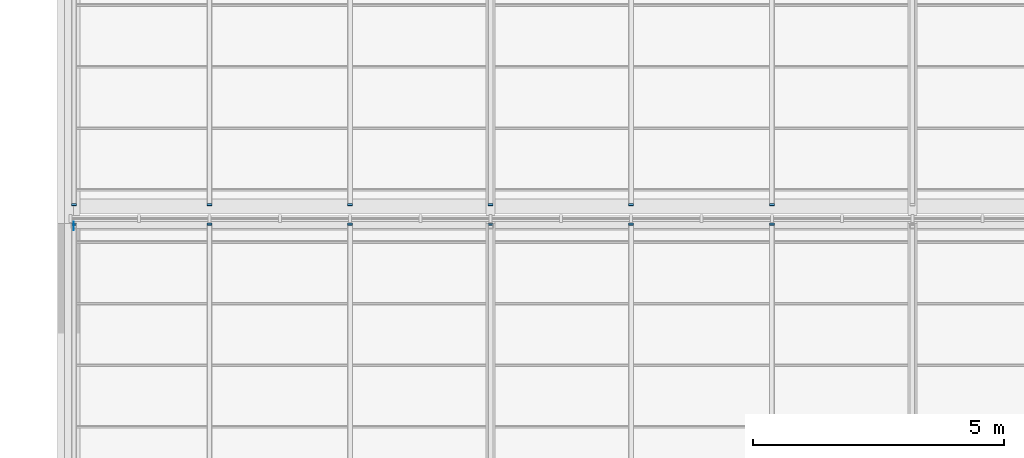
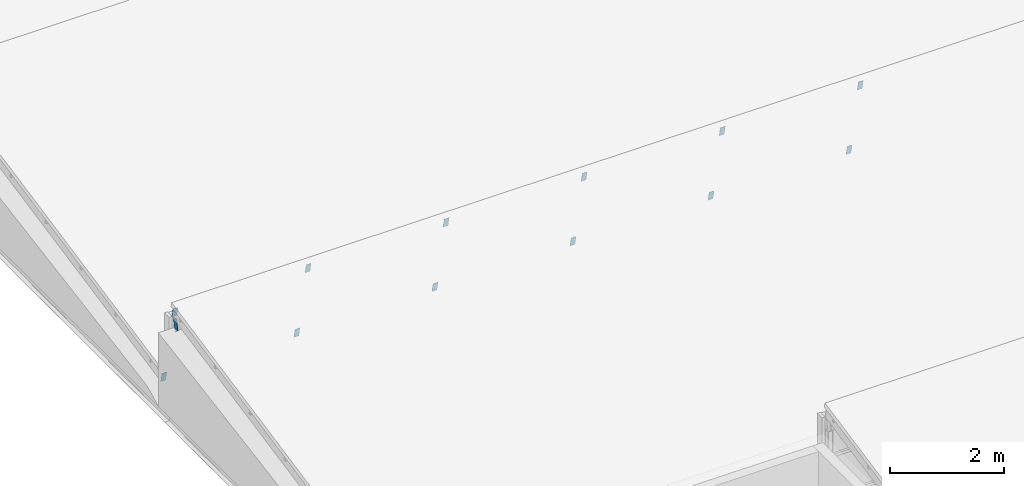
# One storey, part 97 of 121: 13 discrete accessories.
"""IFC4 building model written with IfcOpenShell, lengths in metres."""

import ifcopenshell
import ifcopenshell.guid

model = None  # the IFC model being written
_history = None  # IfcOwnerHistory: only IFC2X3 demands one
_inside = {}  # id of a spatial element -> (the spatial element, [elements in it])
_under = {}  # id of a project, library or spatial element -> (it, [spatial elements below it])
_declared = {}  # id of a project -> (the project, [libraries it declares])
_typed = {}  # id of a type object -> (the type object, [elements of that type])
_made_of = {}  # id of a material, layer set ... -> (it, [elements and type objects made of it])


def new_model(schema):
    """Start an empty IFC model of exactly this schema.

    Asked for "IFC4X3", IfcOpenShell would pick the latest addendum, in which some entities
    have other attributes; the version numbers below select the first issue.
    IFC2X3 requires an IfcOwnerHistory on every rooted entity: one is made here for all.
    """
    global model, _history
    if schema == "IFC4X3":
        model = ifcopenshell.file(schema_version=(4, 3, 0, 0))
    else:
        model = ifcopenshell.file(schema=schema)
    _inside.clear()
    _under.clear()
    _declared.clear()
    _typed.clear()
    _made_of.clear()
    _history = None
    if model.schema == "IFC2X3":
        org = make("IfcOrganization", Name="unknown")
        user = make(
            "IfcPersonAndOrganization",
            ThePerson=make("IfcPerson", FamilyName="unknown"),
            TheOrganization=org,
        )
        app = make(
            "IfcApplication",
            ApplicationDeveloper=org,
            Version="unknown",
            ApplicationFullName="unknown",
            ApplicationIdentifier="unknown",
        )
        _history = make(
            "IfcOwnerHistory",
            OwningUser=user,
            OwningApplication=app,
            ChangeAction="ADDED",
            CreationDate=0,
        )
    return model


def make(cls, **values):
    """One entity of the class cls with the attributes given. An attribute that is None is left unset."""
    return model.create_entity(
        cls, **{name: value for name, value in values.items() if value is not None}
    )


def rooted(cls, **values):
    """An entity with a GlobalId (a new one), such as an element, a storey or a relation."""
    return make(cls, GlobalId=ifcopenshell.guid.new(), OwnerHistory=_history, **values)


def si_unit(unit_type, name, prefix=None):
    """IfcSIUnit, for example si_unit("LENGTHUNIT", "METRE", prefix="MILLI")."""
    return make("IfcSIUnit", UnitType=unit_type, Prefix=prefix, Name=name)


def assignment(units):
    """IfcUnitAssignment: the units of a project."""
    return None if units is None else make("IfcUnitAssignment", Units=units)


def point(xyz):
    """IfcCartesianPoint."""
    return None if xyz is None else make("IfcCartesianPoint", Coordinates=xyz)


def direction(xyz):
    """IfcDirection."""
    return None if xyz is None else make("IfcDirection", DirectionRatios=xyz)


def frame(location, z_axis=None, x_axis=None):
    """IfcAxis2Placement3D, a coordinate frame: its origin and axes. An axis left out is left unset."""
    return make(
        "IfcAxis2Placement3D",
        Location=point(location),
        Axis=direction(z_axis),
        RefDirection=direction(x_axis),
    )


def frame_2d(location, x_axis=None):
    """IfcAxis2Placement2D, a coordinate frame in the plane: its origin and x axis."""
    return make(
        "IfcAxis2Placement2D", Location=point(location), RefDirection=direction(x_axis)
    )


def origin():
    """The frame at (0, 0, 0) with its axes left unset."""
    return frame((0.0, 0.0, 0.0))


def origin_2d():
    """The frame at (0, 0) in the plane with its x axis left unset."""
    return frame_2d((0.0, 0.0))


def place(relative_to, where):
    """IfcLocalPlacement: puts the frame where relative to a parent placement (None: the world)."""
    return make(
        "IfcLocalPlacement", PlacementRelTo=relative_to, RelativePlacement=where
    )


def context(
    kind, dimensions, precision=None, world=None, true_north=None, identifier=None
):
    """IfcGeometricRepresentationContext, for example the 3D "Model" context."""
    return make(
        "IfcGeometricRepresentationContext",
        ContextIdentifier=identifier,
        ContextType=kind,
        CoordinateSpaceDimension=dimensions,
        Precision=precision,
        WorldCoordinateSystem=world,
        TrueNorth=true_north,
    )


def subcontext(parent, identifier, kind, view, scale=None):
    """IfcGeometricRepresentationSubContext, for example "Body" below "Model"."""
    return make(
        "IfcGeometricRepresentationSubContext",
        ContextIdentifier=identifier,
        ContextType=kind,
        ParentContext=parent,
        TargetScale=scale,
        TargetView=view,
    )


def project(units=None, contexts=None):
    """IfcProject with its units and contexts."""
    return rooted(
        "IfcProject",
        Name="project",
        RepresentationContexts=contexts,
        UnitsInContext=assignment(units),
    )


def spatial(cls, under=None, at=None, **own):
    """A site, building, storey or space (cls), placed at a placement, below another one or the project."""
    s = rooted(cls, ObjectPlacement=at, **own)
    if under is not None:
        _under.setdefault(under.id(), (under, []))[1].append(s)
    return s


def profile(cls, at=None, kind="AREA", **sizes):
    """A parametric profile (cls). Its sizes go by their IFC names, for example OverallWidth=200.0."""
    return make(cls, ProfileType=kind, Position=at, **sizes)


def rectangle(**sizes):
    """IfcRectangleProfileDef."""
    return profile("IfcRectangleProfileDef", **sizes)


def extrude(swept, where, along, depth):
    """IfcExtrudedAreaSolid: the profile swept, set in the frame where, extruded along a direction by depth."""
    return make(
        "IfcExtrudedAreaSolid",
        SweptArea=swept,
        Position=where,
        ExtrudedDirection=direction(along),
        Depth=depth,
    )


def shape(context_of_items, identifier, shape_type, items):
    """IfcShapeRepresentation: the items that make up one representation, for example the "Body"."""
    return make(
        "IfcShapeRepresentation",
        ContextOfItems=context_of_items,
        RepresentationIdentifier=identifier,
        RepresentationType=shape_type,
        Items=items,
    )


def material(Name=None, Category=None):
    """IfcMaterial."""
    return make("IfcMaterial", Name=Name, Category=Category)


def material_profile(
    of_material, cross_section, Name=None, Category=None, Priority=None
):
    """IfcMaterialProfile: a cross section and its material."""
    return make(
        "IfcMaterialProfile",
        Name=Name,
        Material=of_material,
        Profile=cross_section,
        Priority=Priority,
        Category=Category,
    )


def profile_set(profiles, Name=None, composite=None):
    """IfcMaterialProfileSet."""
    return make(
        "IfcMaterialProfileSet",
        Name=Name,
        MaterialProfiles=profiles,
        CompositeProfile=composite,
    )


def made_of(thing, what):
    """Note that an element or type object is made of a material, layer set ...; save() writes the relation."""
    if what is not None:
        _made_of.setdefault(what.id(), (what, []))[1].append(thing)
    return thing


def type_object(cls, material=None, **own):
    """A type object (cls), such as IfcWallType, which elements share."""
    return made_of(rooted(cls, **own), material)


def element(
    cls,
    number,
    at=None,
    inside=None,
    cuts=None,
    type_object=None,
    material=None,
    context=None,
    identifier="Body",
    shape_type=None,
    held_by="IfcProductDefinitionShape",
    body=None,
    shapes=None,
    **own,
):
    """One element of the class cls, such as IfcWall. Its Tag is "e" and its number.

    at: its placement. inside: the storey or other place that contains it. cuts: it is an
    opening in that element (IfcRelVoidsElement). A single representation is given by context,
    identifier, shape_type and body (its items); several are given by shapes. held_by: the class
    of the entity that holds the representations. save() writes the other relations.
    """
    e = rooted(cls, Tag="e%d" % number, ObjectPlacement=at, **own)
    if body is not None:
        shapes = [shape(context, identifier, shape_type, body)]
    if shapes is not None:
        e.Representation = make(held_by, Representations=shapes)
    if inside is not None:
        _inside.setdefault(inside.id(), (inside, []))[1].append(e)
    if cuts is not None:
        rooted(
            "IfcRelVoidsElement", RelatingBuildingElement=cuts, RelatedOpeningElement=e
        )
    if type_object is not None:
        _typed.setdefault(type_object.id(), (type_object, []))[1].append(e)
    return made_of(e, material)


def aggregate(whole, parts):
    """IfcRelAggregates: a whole, such as a stair, and the parts it consists of."""
    return rooted("IfcRelAggregates", RelatingObject=whole, RelatedObjects=parts)


def save(model, path):
    """Write the relations noted so far, then the file.

    IfcRelAggregates (storeys below a building ...), IfcRelContainedInSpatialStructure (elements
    in a storey), IfcRelDefinesByType, IfcRelAssociatesMaterial and IfcRelDeclares: one each for
    every whole, place, type object, material and project.
    """
    for whole, parts in _under.values():
        aggregate(whole, parts)
    for where, things in _inside.values():
        rooted(
            "IfcRelContainedInSpatialStructure",
            RelatedElements=things,
            RelatingStructure=where,
        )
    for kind, things in _typed.values():
        rooted("IfcRelDefinesByType", RelatedObjects=things, RelatingType=kind)
    for what, things in _made_of.values():
        rooted("IfcRelAssociatesMaterial", RelatedObjects=things, RelatingMaterial=what)
    for by, libraries in _declared.values():
        rooted("IfcRelDeclares", RelatingContext=by, RelatedDefinitions=libraries)
    model.write(path)


model = new_model("IFC4")

# Units and contexts
model_context = context("Model", 3, precision=1e-05, world=origin(), true_north=direction((0.0, 1.0)))
body_context = subcontext(model_context, "Body", "Model", "MODEL_VIEW")
ifc_project = project(units=[si_unit("LENGTHUNIT", "METRE"), si_unit("AREAUNIT", "SQUARE_METRE"), si_unit("VOLUMEUNIT", "CUBIC_METRE"), si_unit("PLANEANGLEUNIT", "RADIAN"), si_unit("MASSUNIT", "GRAM", prefix="KILO")], contexts=[model_context])

# Site, building, storey
site_placement = place(None, origin())
site = spatial("IfcSite", under=ifc_project, at=site_placement, CompositionType="ELEMENT")
building_placement = place(site_placement, origin())
building = spatial("IfcBuilding", under=site, at=building_placement, Name="Ardhachandra Cancer Care Centre", CompositionType="ELEMENT")
storey_placement = place(building_placement, frame((0.0, 0.0, 9.0)))
storey = spatial("IfcBuildingStorey", under=building, at=storey_placement, Name="L02", CompositionType="ELEMENT", Elevation=9.0)

# Discrete accessories
ifc_material_1 = material(Name="Galvanised flat steel (Steel E250 (IS 2062))", Category="steel")
ifc_material_profile_1 = material_profile(ifc_material_1, rectangle(XDim=0.10009765625, YDim=0.199951171875, at=origin_2d()), Name="Rafter end plate 200 x 100 x 8")
ifc_profile_set_1 = profile_set([ifc_material_profile_1], Name="Galvanised flat steel (Steel E250 (IS 2062))")
discrete_accessory_type_1 = type_object("IfcDiscreteAccessoryType", Name="Rafter end plate 200 x 100 x 8", PredefinedType="BRACKET", material=ifc_profile_set_1)
for number, where, z_axis, x_axis, name in (
    (1, (10.89990234375, 46.18017578125, 1.91796875), (0.0, 0.976900017396, 0.213696878805), (-1.0, 0.0, 0.0), "Rafter end plate T2a.1.2"),
    (2, (13.60009765625, 46.18017578125, 1.91796875), (0.0, 0.976900017396, 0.213696878805), (-1.0, 0.0, 0.0), "Rafter end plate T2a.2.2"),
    (3, (16.39990234375, 46.18017578125, 1.91796875), (0.0, 0.976900017396, 0.213696878805), (-1.0, 0.0, 0.0), "Rafter end plate T2a.3.2"),
    (4, (19.199951171875, 46.18017578125, 1.91796875), (0.0, 0.976900017396, 0.213696878805), (-1.0, 0.0, 0.0), "Rafter end plate T2a.4.2"),
    (5, (22.0, 46.18017578125, 1.91796875), (0.0, 0.976900017396, 0.213696878805), (-1.0, 0.0, 0.0), "Rafter end plate T2a.5.2"),
    (6, (24.800048828125, 46.18017578125, 1.91796875), (0.0, 0.976900017396, 0.213696878805), (-1.0, 0.0, 0.0), "Rafter end plate T2a.6.2"),
    (7, (10.89990234375, 46.580078125, 0.298095703125), (0.0, -0.976900017396, -0.213696878805), (1.0, 0.0, 0.0), "Rafter end plate T3a.1.1"),
    (8, (13.60009765625, 46.580078125, 0.298095703125), (0.0, -0.976900017396, -0.213696878805), (1.0, 0.0, 0.0), "Rafter end plate T3a.2.1"),
    (9, (16.39990234375, 46.580078125, 0.298095703125), (0.0, -0.976900017396, -0.213696878805), (1.0, 0.0, 0.0), "Rafter end plate T3a.3.1"),
    (10, (19.199951171875, 46.580078125, 0.298095703125), (0.0, -0.976900017396, -0.213696878805), (1.0, 0.0, 0.0), "Rafter end plate T3a.4.1"),
    (11, (22.0, 46.580078125, 0.298095703125), (0.0, -0.976900017396, -0.213696878805), (1.0, 0.0, 0.0), "Rafter end plate T3a.5.1"),
    (12, (24.800048828125, 46.580078125, 0.298095703125), (0.0, -0.976900017396, -0.213696878805), (1.0, 0.0, 0.0), "Rafter end plate T3a.6.1"),
):
    element("IfcDiscreteAccessory", number, at=place(storey_placement, frame(where, z_axis=z_axis, x_axis=x_axis)), inside=storey, type_object=discrete_accessory_type_1, Name=name, PredefinedType="BRACKET", context=body_context, shape_type="SweptSolid", body=[
        extrude(rectangle(XDim=0.10009765625, YDim=0.199951171875, at=origin_2d()), origin(), (0.0, 0.0, 1.0), 0.008056640625),
    ])
ifc_material_2 = material(Name="Galvanised flat steel (Steel E250 (IS 2062))", Category="steel")
ifc_material_profile_2 = material_profile(ifc_material_2, rectangle(XDim=0.1201171875, YDim=0.239990234375, at=origin_2d()), Name="Ridge beam end plate 240 x 120 x 8")
ifc_profile_set_2 = profile_set([ifc_material_profile_2], Name="Galvanised flat steel (Steel E250 (IS 2062))")
discrete_accessory_type_2 = type_object("IfcDiscreteAccessoryType", Name="Ridge beam end plate 240 x 120 x 8", PredefinedType="BRACKET", material=ifc_profile_set_2)
discrete_accessory_placement = place(storey_placement, frame((10.89990234375, 46.14990234375, 1.6875), z_axis=(-1.0, 0.0, 0.0), x_axis=(0.0, -0.980106641092, 0.198471590126)))
element("IfcDiscreteAccessory", 13, at=discrete_accessory_placement, inside=storey, type_object=discrete_accessory_type_2, Name="Ridge beam end plate T2a.1", PredefinedType="BRACKET", context=body_context, shape_type="SweptSolid", body=[
    extrude(rectangle(XDim=0.1201171875, YDim=0.239990234375, at=origin_2d()), origin(), (0.0, 0.0, 1.0), 0.0078125),
])

save(model, "model.ifc")
